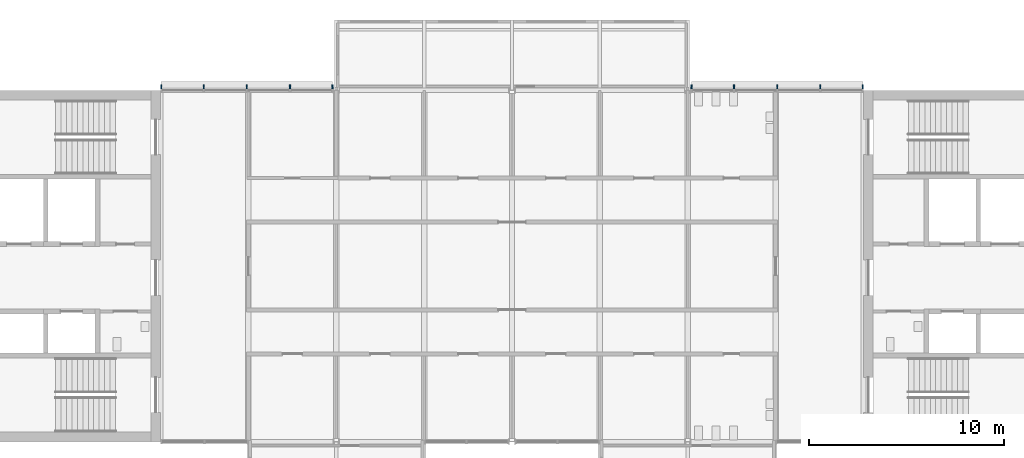
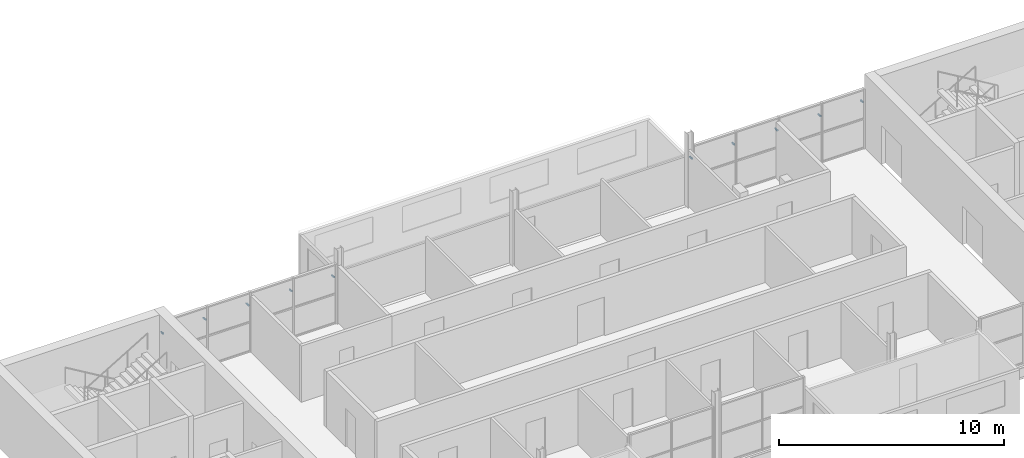
# One storey, part 8 of 10: 10 discrete accessories.
"""IFC4 building model written with IfcOpenShell, lengths in metres."""

from ifc_helpers import new_model, si_unit, direction, frame, origin, origin_2d, place, context, subcontext, project, spatial, rectangle, extrude, material, type_object, element, save


model = new_model("IFC4")

# Units and contexts
model_context = context("Model", 3, precision=1e-05, world=origin(), true_north=direction((0.0, 1.0)))
body_context = subcontext(model_context, "Body", "Model", "MODEL_VIEW")
ifc_project = project(units=[si_unit("LENGTHUNIT", "METRE"), si_unit("AREAUNIT", "SQUARE_METRE"), si_unit("VOLUMEUNIT", "CUBIC_METRE"), si_unit("PLANEANGLEUNIT", "RADIAN"), si_unit("MASSUNIT", "GRAM", prefix="KILO")], contexts=[model_context])

# Site, building, storey
site_placement = place(None, origin())
site = spatial("IfcSite", under=ifc_project, at=site_placement, CompositionType="ELEMENT")
building_placement = place(site_placement, origin())
building = spatial("IfcBuilding", under=site, at=building_placement, Name="Corbel Yard City Hall", CompositionType="ELEMENT")
storey_placement = place(building_placement, frame((0.0, 0.0, 63.199951171875)))
storey = spatial("IfcBuildingStorey", under=building, at=storey_placement, Name="L15", CompositionType="ELEMENT", Elevation=63.199951171875)

# Discrete accessories
ifc_material = material(Name="Steel Grade 300 (300 MPa yield)", Category="steel")
discrete_accessory_type = type_object("IfcDiscreteAccessoryType", Name="BK1", PredefinedType="BRACKET", material=ifc_material)
for number, where, z_axis, x_axis, name in (
    (1, (9.032470703125, 117.18994140625, 2.3984375), (0.0, 0.0, 1.0), (1.0, 0.0, 0.0), "Louvre bracket"),
    (2, (11.210693359375, 117.18994140625, 2.3984375), (0.0, 0.0, 1.0), (1.0, 0.0, 0.0), "Louvre bracket"),
    (3, (13.421142578125, 117.18994140625, 2.3984375), (0.0, 0.0, 1.0), (1.0, 0.0, 0.0), "Louvre bracket"),
    (4, (15.6318359375, 117.18994140625, 2.3984375), (0.0, 0.0, 1.0), (1.0, 0.0, 0.0), "Louvre bracket"),
    (5, (17.81005859375, 117.18994140625, 2.3984375), (0.0, 0.0, 1.0), (1.0, 0.0, 0.0), "Louvre bracket"),
    (6, (36.18994140625, 117.18994140625, 2.3984375), (0.0, 0.0, 1.0), (1.0, 0.0, 0.0), "Louvre bracket"),
    (7, (38.3681640625, 117.18994140625, 2.3984375), (0.0, 0.0, 1.0), (1.0, 0.0, 0.0), "Louvre bracket"),
    (8, (40.578857421875, 117.18994140625, 2.3984375), (0.0, 0.0, 1.0), (1.0, 0.0, 0.0), "Louvre bracket"),
    (9, (42.789306640625, 117.18994140625, 2.3984375), (0.0, 0.0, 1.0), (1.0, 0.0, 0.0), "Louvre bracket"),
    (10, (44.967529296875, 117.18994140625, 2.3984375), (0.0, 0.0, 1.0), (1.0, 0.0, 0.0), "Louvre bracket"),
):
    element("IfcDiscreteAccessory", number, at=place(storey_placement, frame(where, z_axis=z_axis, x_axis=x_axis)), inside=storey, type_object=discrete_accessory_type, Name=name, PredefinedType="BRACKET", context=body_context, shape_type="SweptSolid", body=[
        extrude(rectangle(XDim=0.06005859375, YDim=0.199951171875, at=origin_2d()), origin(), (0.0, 0.0, 1.0), 0.06005859375),
    ])

save(model, "model.ifc")
